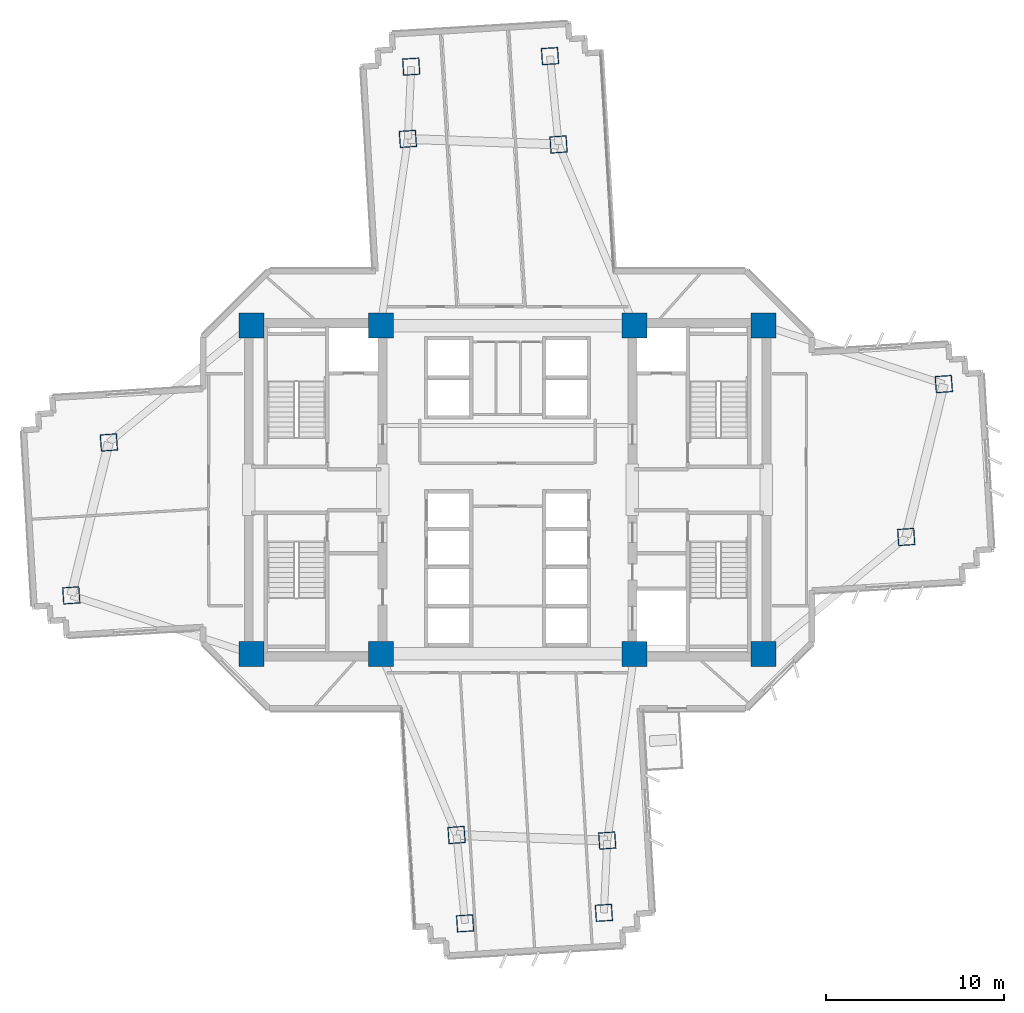
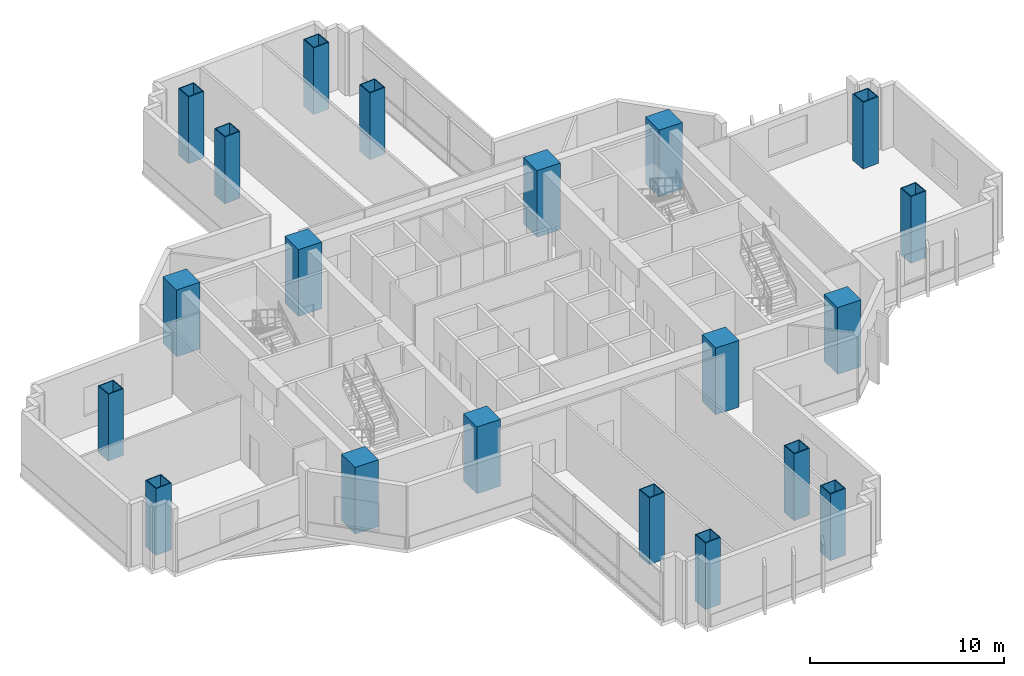
# One storey, part 1 of 15: 20 columns.
"""IFC4 building model written with IfcOpenShell, lengths in metres."""

from ifc_helpers import new_model, si_unit, direction, frame, origin, origin_2d, place, context, subcontext, project, spatial, rectangle, hollow_rectangle, extrude, source, transform, mapped, material, material_profile, profile_set, type_object, element, save


model = new_model("IFC4")

# Units and contexts
model_context = context("Model", 3, precision=1e-05, world=origin(), true_north=direction((0.0, 1.0)))
body_context = subcontext(model_context, "Body", "Model", "MODEL_VIEW")
ifc_project = project(units=[si_unit("LENGTHUNIT", "METRE"), si_unit("AREAUNIT", "SQUARE_METRE"), si_unit("VOLUMEUNIT", "CUBIC_METRE"), si_unit("PLANEANGLEUNIT", "RADIAN"), si_unit("MASSUNIT", "GRAM", prefix="KILO")], contexts=[model_context])

# Site, building, storey
site_placement = place(None, origin())
site = spatial("IfcSite", under=ifc_project, at=site_placement, CompositionType="ELEMENT")
building_placement = place(site_placement, origin())
building = spatial("IfcBuilding", under=site, at=building_placement, Name="Zahravan Cultural Tower", CompositionType="ELEMENT")
storey_placement = place(building_placement, frame((0.0, 0.0, 71.10009765625)))
storey = spatial("IfcBuildingStorey", under=building, at=storey_placement, Name="L15", CompositionType="ELEMENT", Elevation=71.10009765625)

# Columns
ifc_material_1 = material(Name="Concrete C60/75", Category="concrete")
ifc_material_profile_1 = material_profile(ifc_material_1, rectangle(XDim=1.39990234375, YDim=1.39990234375, at=origin_2d()), Name="RC1400X1400")
ifc_profile_set_1 = profile_set([ifc_material_profile_1], Name="Concrete C60/75")
column_type_1 = type_object("IfcColumnType", Name="COL-RC1400", PredefinedType="COLUMN", material=ifc_profile_set_1)
shared_shape_1 = source(origin(), body_context, "Body", "SweptSolid", [
    extrude(rectangle(XDim=1.39990234375, YDim=1.39990234375, at=origin_2d()), origin(), (0.0, 0.0, 1.0), 4.199951171875),
])
for number, where, z_axis, x_axis, name in (
    (1, (21.64990234375, 17.800048828125, 0.0), (0.0, 0.0, 1.0), (1.0, 0.0, 0.0), "L15 Column CC-W1"),
    (2, (28.89990234375, 17.800048828125, 0.0), (0.0, 0.0, 1.0), (1.0, 0.0, 0.0), "L15 Column CC-W2"),
    (3, (21.64990234375, 36.199951171875, 0.0), (0.0, 0.0, 1.0), (1.0, 0.0, 0.0), "L15 Column CC-W3"),
    (4, (28.89990234375, 36.199951171875, 0.0), (0.0, 0.0, 1.0), (1.0, 0.0, 0.0), "L15 Column CC-W4"),
    (5, (43.10009765625, 17.800048828125, 0.0), (0.0, 0.0, 1.0), (1.0, 0.0, 0.0), "L15 Column CC-E1"),
    (6, (50.35009765625, 17.800048828125, 0.0), (0.0, 0.0, 1.0), (1.0, 0.0, 0.0), "L15 Column CC-E2"),
    (7, (43.10009765625, 36.199951171875, 0.0), (0.0, 0.0, 1.0), (1.0, 0.0, 0.0), "L15 Column CC-E3"),
    (8, (50.35009765625, 36.199951171875, 0.0), (0.0, 0.0, 1.0), (1.0, 0.0, 0.0), "L15 Column CC-E4"),
):
    element("IfcColumn", number, at=place(storey_placement, frame(where, z_axis=z_axis, x_axis=x_axis)), inside=storey, type_object=column_type_1, Name=name, PredefinedType="COLUMN", context=body_context, shape_type="MappedRepresentation", body=[
        mapped(shared_shape_1, transform((0.0, 0.0, 0.0), x_axis=(1.0, 0.0, 0.0), y_axis=(0.0, 1.0, 0.0), z_axis=(0.0, 0.0, 1.0), scale=1.0)),
    ])
ifc_material_2 = material(Name="Steel ASTM A572 Grade 50", Category="steel")
ifc_material_profile_2 = material_profile(ifc_material_2, hollow_rectangle(XDim=0.949951171875, YDim=0.949951171875, WallThickness=0.050048828125, at=origin_2d()), Name="BOX950X950X50")
ifc_profile_set_2 = profile_set([ifc_material_profile_2], Name="Steel ASTM A572 Grade 50")
column_type_2 = type_object("IfcColumnType", Name="COL-BOX950", PredefinedType="COLUMN", material=ifc_profile_set_2)
shared_shape_2 = source(origin(), body_context, "Body", "SweptSolid", [
    extrude(hollow_rectangle(XDim=0.949951171875, YDim=0.949951171875, WallThickness=0.050048828125, at=origin_2d()), origin(), (0.0, 0.0, 1.0), 4.199951171875),
])
for number, where, z_axis, x_axis, name in (
    (9, (58.339111328125, 24.351806640625, 0.0), (0.0, 0.0, 1.0), (0.99756405026, 0.069756473744, 0.0), "L15 Column Z1C-E1"),
    (10, (60.446533203125, 32.919677734375, 0.0), (0.0, 0.0, 1.0), (0.99756405026, 0.069756473744, 0.0), "L15 Column Z1C-E2"),
    (11, (38.857421875, 46.346435546875, 0.0), (0.0, 0.0, 1.0), (-0.069756473744, 0.99756405026, 0.0), "L15 Column Z1C-N1"),
    (12, (30.4150390625, 46.658203125, 0.0), (0.0, 0.0, 1.0), (-0.069756473744, 0.99756405026, 0.0), "L15 Column Z1C-N2"),
    (13, (13.660888671875, 29.648193359375, 0.0), (0.0, 0.0, 1.0), (0.99756405026, 0.069756473744, 0.0), "L15 Column Z1C-W1"),
    (14, (11.553466796875, 21.080322265625, 0.0), (0.0, 0.0, 1.0), (0.99756405026, 0.069756473744, 0.0), "L15 Column Z1C-W2"),
    (15, (33.142578125, 7.653564453125, 0.0), (0.0, 0.0, 1.0), (-0.069756473744, 0.99756405026, 0.0), "L15 Column Z1C-S1"),
    (16, (41.5849609375, 7.341796875, 0.0), (0.0, 0.0, 1.0), (-0.069756473744, 0.99756405026, 0.0), "L15 Column Z1C-S2"),
    (17, (38.379150390625, 51.29736328125, 0.0), (0.0, 0.0, 1.0), (-0.062790519529, 0.998026728428, 0.0), "L15 Column Z1T-N1"),
    (18, (30.6005859375, 50.707763671875, 0.0), (0.0, 0.0, 1.0), (-0.062790519529, 0.998026728428, 0.0), "L15 Column Z1T-N2"),
    (19, (33.620849609375, 2.70263671875, 0.0), (0.0, 0.0, 1.0), (-0.062790519529, 0.998026728428, 0.0), "L15 Column Z1T-S1"),
    (20, (41.3994140625, 3.292236328125, 0.0), (0.0, 0.0, 1.0), (-0.062790519529, 0.998026728428, 0.0), "L15 Column Z1T-S2"),
):
    element("IfcColumn", number, at=place(storey_placement, frame(where, z_axis=z_axis, x_axis=x_axis)), inside=storey, type_object=column_type_2, Name=name, PredefinedType="COLUMN", context=body_context, shape_type="MappedRepresentation", body=[
        mapped(shared_shape_2, transform((0.0, 0.0, 0.0), x_axis=(1.0, 0.0, 0.0), y_axis=(0.0, 1.0, 0.0), z_axis=(0.0, 0.0, 1.0), scale=1.0)),
    ])

save(model, "model.ifc")
